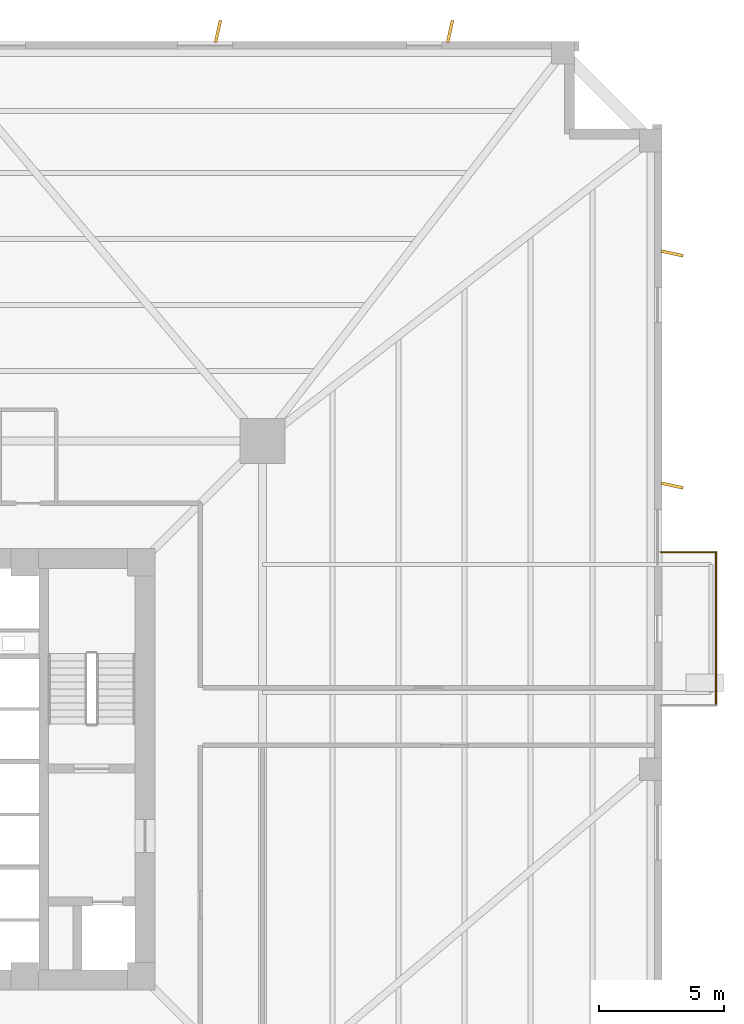
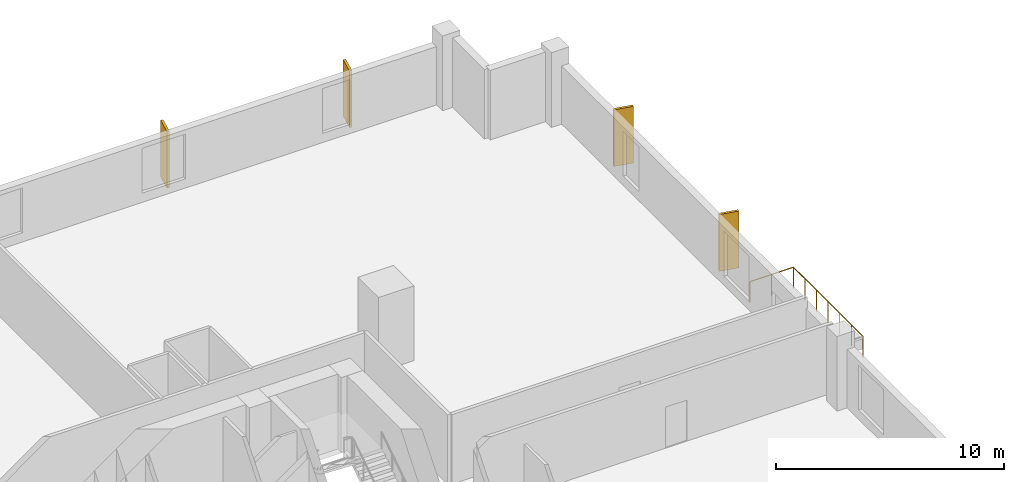
# One storey, part 9 of 9: 4 coverings, 2 railings.
"""IFC4 building model written with IfcOpenShell, lengths in metres."""

from ifc_helpers import new_model, si_unit, direction, frame, origin, origin_2d, place, context, subcontext, project, spatial, rectangle, circle, extrude, source, transform, mapped, material, layer, layer_set, type_object, element, save


model = new_model("IFC4")

# Units and contexts
model_context = context("Model", 3, precision=1e-05, world=origin(), true_north=direction((0.0, 1.0)))
body_context = subcontext(model_context, "Body", "Model", "MODEL_VIEW")
ifc_project = project(units=[si_unit("LENGTHUNIT", "METRE"), si_unit("AREAUNIT", "SQUARE_METRE"), si_unit("VOLUMEUNIT", "CUBIC_METRE"), si_unit("PLANEANGLEUNIT", "RADIAN"), si_unit("MASSUNIT", "GRAM", prefix="KILO"), si_unit("THERMODYNAMICTEMPERATUREUNIT", "KELVIN")], contexts=[model_context])

# Site, building, storey
site_placement = place(None, origin())
site = spatial("IfcSite", under=ifc_project, at=site_placement, CompositionType="ELEMENT")
building_placement = place(site_placement, origin())
building = spatial("IfcBuilding", under=site, at=building_placement, Name="Kosmvard Interchange Tower", CompositionType="ELEMENT")
storey_placement = place(building_placement, frame((0.0, 0.0, 58.0)))
storey = spatial("IfcBuildingStorey", under=building, at=storey_placement, Name="L13", CompositionType="ELEMENT", Elevation=58.0)

# Coverings
ifc_material_1 = material(Name="Architectural anodised aluminium", Category="aluminium")
ifc_layer = layer(ifc_material_1, 0.1201171875, Name="Architectural anodised aluminium")
ifc_layer_set = layer_set([ifc_layer], Name="Architectural anodised aluminium")
covering_type = type_object("IfcCoveringType", Name="Rotating Vertical Sun-Breaker Fin 900x120 Aluminium", PredefinedType="CLADDING", material=ifc_layer_set)
shared_shape_1 = source(origin(), body_context, "Body", "SweptSolid", [
    extrude(rectangle(XDim=0.89990234375, YDim=0.1201171875, at=origin_2d()), origin(), (0.0, 0.0, 1.0), 3.0400390625),
])
for number, where, z_axis, x_axis, name in (
    (1, (29.39990234375, 11.3037109375, 0.0400390625), (0.0, 0.0, 1.0), (0.976709741843, -0.214564862428, 0.0), "L13 Rotating Vertical Sun-Breaker Fin 07"),
    (2, (29.39990234375, 20.552001953125, 0.0400390625), (0.0, 0.0, 1.0), (0.976709741843, -0.214564862428, 0.0), "L13 Rotating Vertical Sun-Breaker Fin 08"),
    (3, (20.552001953125, 29.39990234375, 0.0400390625), (0.0, 0.0, 1.0), (0.214564862428, 0.976709741843, 0.0), "L13 Rotating Vertical Sun-Breaker Fin 09"),
    (4, (11.3037109375, 29.39990234375, 0.0400390625), (0.0, 0.0, 1.0), (0.214564862428, 0.976709741843, 0.0), "L13 Rotating Vertical Sun-Breaker Fin 10"),
):
    element("IfcCovering", number, at=place(storey_placement, frame(where, z_axis=z_axis, x_axis=x_axis)), inside=storey, type_object=covering_type, Name=name, PredefinedType="CLADDING", context=body_context, shape_type="MappedRepresentation", body=[
        mapped(shared_shape_1, transform((0.0, 0.0, 0.0), scale=1.0)),
    ])

# Railings
ifc_material_2 = material(Name="Steel S355", Category="steel")
railing_type = type_object("IfcRailingType", Name="Observation & Balcony Glass-Infill Balustrade 1150", PredefinedType="BALUSTRADE", material=ifc_material_2)
shared_shape_2 = source(origin(), body_context, "Body", "SweptSolid", [
    extrude(circle(Radius=0.02392578125, at=origin_2d()), frame((0.0, 0.0, 1.1259765625), z_axis=(0.0, 1.0, 0.0), x_axis=(-1.0, 0.0, 0.0)), (0.0, 0.0, 1.0), 6.099853515625),
    extrude(circle(Radius=0.02099609375, at=origin_2d()), origin(), (0.0, 0.0, 1.0), 1.101806640625),
    extrude(circle(Radius=0.02099609375, at=origin_2d()), frame((0.0, 1.0166015625, 0.0)), (0.0, 0.0, 1.0), 1.101806640625),
    extrude(circle(Radius=0.02099609375, at=origin_2d()), frame((0.0, 2.033203125, 0.0)), (0.0, 0.0, 1.0), 1.101806640625),
    extrude(circle(Radius=0.02099609375, at=origin_2d()), frame((0.0, 3.0498046875, 0.0)), (0.0, 0.0, 1.0), 1.101806640625),
    extrude(circle(Radius=0.02099609375, at=origin_2d()), frame((0.0, 4.066650390625, 0.0)), (0.0, 0.0, 1.0), 1.101806640625),
    extrude(circle(Radius=0.02099609375, at=origin_2d()), frame((0.0, 5.083251953125, 0.0)), (0.0, 0.0, 1.0), 1.101806640625),
    extrude(circle(Radius=0.02099609375, at=origin_2d()), frame((0.0, 6.099853515625, 0.0)), (0.0, 0.0, 1.0), 1.101806640625),
])
railing_1_placement = place(storey_placement, frame((31.14990234375, 2.550048828125, 0.0)))
element("IfcRailing", 5, at=railing_1_placement, inside=storey, type_object=railing_type, Name="L13 Outdoor Terrace Guard BAL-L13-E-B", PredefinedType="BALUSTRADE", context=body_context, shape_type="MappedRepresentation", body=[
    mapped(shared_shape_2, transform((0.0, 0.0, 0.0), scale=1.0)),
])
shared_shape_3 = source(origin(), body_context, "Body", "SweptSolid", [
    extrude(circle(Radius=0.02392578125, at=origin_2d()), frame((0.0, 0.0, 1.1259765625), z_axis=(-1.0, 0.0, 0.0), x_axis=(0.0, -1.0, 0.0)), (0.0, 0.0, 1.0), 2.199951171875),
    extrude(circle(Radius=0.02099609375, at=origin_2d()), origin(), (0.0, 0.0, 1.0), 1.101806640625),
    extrude(circle(Radius=0.02099609375, at=origin_2d()), frame((-1.10009765625, 0.0, 0.0)), (0.0, 0.0, 1.0), 1.101806640625),
    extrude(circle(Radius=0.02099609375, at=origin_2d()), frame((-2.199951171875, 0.0, 0.0)), (0.0, 0.0, 1.0), 1.101806640625),
])
railing_2_placement = place(storey_placement, frame((31.14990234375, 8.64990234375, 0.0)))
element("IfcRailing", 6, at=railing_2_placement, inside=storey, type_object=railing_type, Name="L13 Outdoor Terrace Guard BAL-L13-E-C", PredefinedType="BALUSTRADE", context=body_context, shape_type="MappedRepresentation", body=[
    mapped(shared_shape_3, transform((0.0, 0.0, 0.0), scale=1.0)),
])

save(model, "model.ifc")
